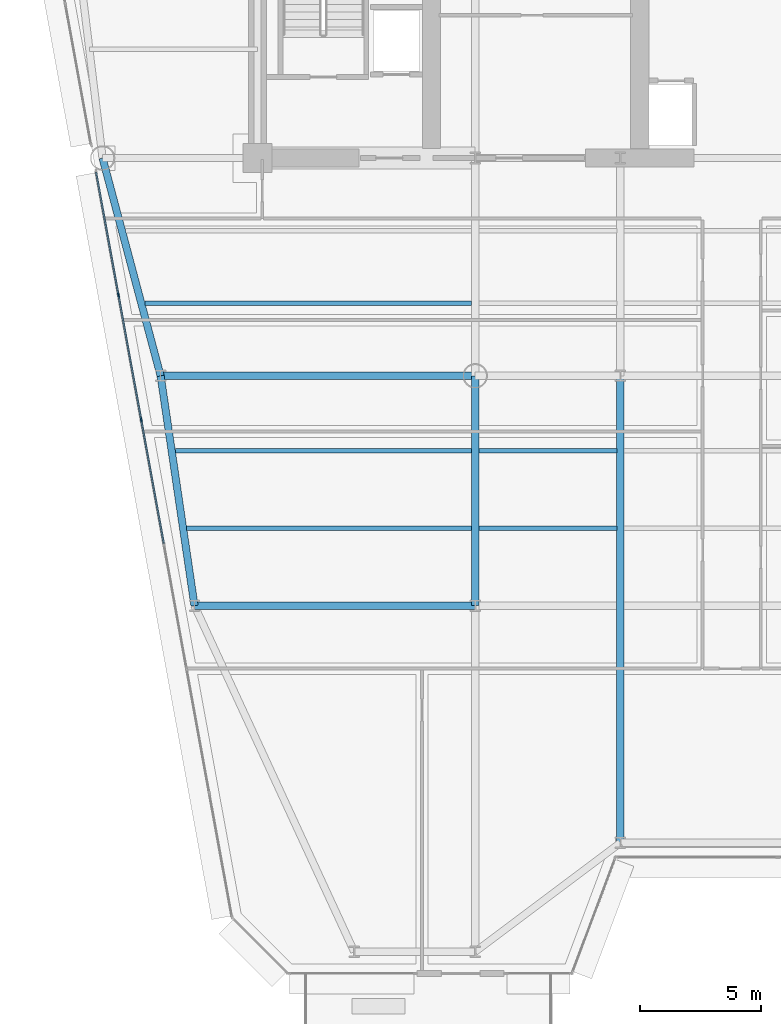
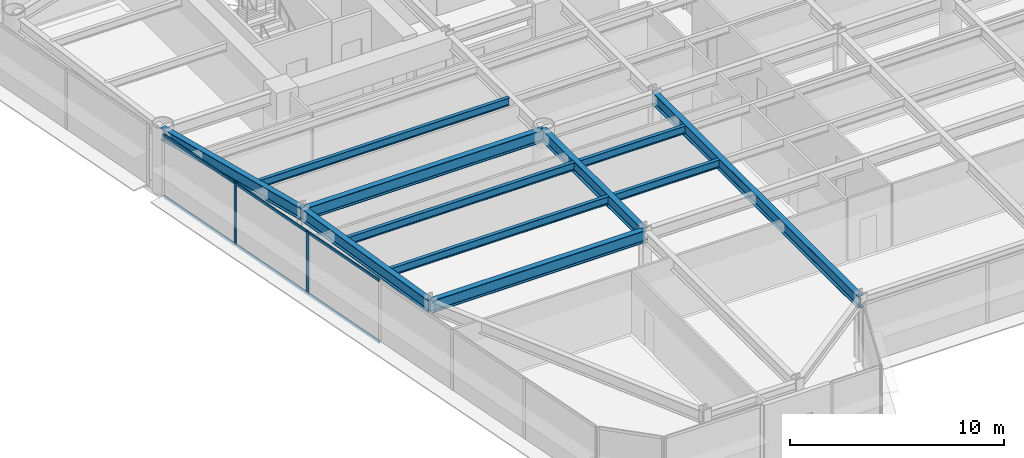
# One storey, part 3 of 17: 11 beams, 8 members, 1 element without a shape of its own.
"""IFC4 building model written with IfcOpenShell, lengths in metres."""

from ifc_helpers import new_model, si_unit, direction, frame, origin, origin_2d, place, context, subcontext, project, spatial, rectangle, i_section, extrude, source, transform, mapped, material, layer, layer_set, material_profile, profile_set, type_object, element, aggregate, save


model = new_model("IFC4")

# Units and contexts
model_context = context("Model", 3, precision=1e-05, world=origin(), true_north=direction((0.0, 1.0)))
body_context = subcontext(model_context, "Body", "Model", "MODEL_VIEW")
ifc_project = project(units=[si_unit("LENGTHUNIT", "METRE"), si_unit("AREAUNIT", "SQUARE_METRE"), si_unit("VOLUMEUNIT", "CUBIC_METRE"), si_unit("PLANEANGLEUNIT", "RADIAN"), si_unit("MASSUNIT", "GRAM", prefix="KILO")], contexts=[model_context])

# Site, building, storey
site_placement = place(None, origin())
site = spatial("IfcSite", under=ifc_project, at=site_placement, CompositionType="ELEMENT")
building_placement = place(site_placement, origin())
building = spatial("IfcBuilding", under=site, at=building_placement, Name="Vaeldorn Concourse Tower", CompositionType="ELEMENT")
storey_placement = place(building_placement, frame((0.0, 0.0, 153.800048828125)))
storey = spatial("IfcBuildingStorey", under=building, at=storey_placement, Name="L39", CompositionType="ELEMENT", Elevation=153.800048828125)

# Beams
ifc_material_1 = material(Name="Steel S355", Category="steel")
ifc_material_profile_1 = material_profile(ifc_material_1, i_section(OverallWidth=0.300048828125, OverallDepth=0.699951171875, WebThickness=0.01708984375, FlangeThickness=0.031982421875, FilletRadius=0.027099609375, at=origin_2d()), Name="HEB 700")
ifc_profile_set_1 = profile_set([ifc_material_profile_1], Name="Steel S355")
beam_type_1 = type_object("IfcBeamType", Name="BM-PG-HEB700", PredefinedType="BEAM", material=ifc_profile_set_1)
shared_shape_1 = source(origin(), body_context, "Body", "SweptSolid", [
    extrude(i_section(OverallWidth=0.300048828125, OverallDepth=0.699951171875, WebThickness=0.01708984375, FlangeThickness=0.031982421875, FilletRadius=0.027099609375, at=origin_2d()), origin(), (0.0, 0.0, 1.0), 9.314453125),
])
beam_1_placement = place(storey_placement, frame((7.60009765625, 36.5, 3.22998046875), z_axis=(0.257652862255, -0.966237549763, 0.0), x_axis=(0.966237549763, 0.257652862255, 0.0)))
element("IfcBeam", 1, at=beam_1_placement, inside=storey, type_object=beam_type_1, Name="Beam BM-L39-C-NW2-C-FLW1", PredefinedType="BEAM", context=body_context, shape_type="MappedRepresentation", body=[
    mapped(shared_shape_1, transform((0.0, 0.0, 0.0), scale=1.0)),
])
shared_shape_2 = source(origin(), body_context, "Body", "SweptSolid", [
    extrude(i_section(OverallWidth=0.300048828125, OverallDepth=0.699951171875, WebThickness=0.01708984375, FlangeThickness=0.031982421875, FilletRadius=0.027099609375, at=origin_2d()), origin(), (0.0, 0.0, 1.0), 13.0),
])
beam_2_placement = place(storey_placement, frame((10.0, 27.5, 3.22998046875), z_axis=(1.0, 0.0, 0.0), x_axis=(0.0, 1.0, 0.0)))
element("IfcBeam", 2, at=beam_2_placement, inside=storey, type_object=beam_type_1, Name="Beam BM-L39-C-FLW1-C-TW1", PredefinedType="BEAM", context=body_context, shape_type="MappedRepresentation", body=[
    mapped(shared_shape_2, transform((0.0, 0.0, 0.0), scale=1.0)),
])
shared_shape_3 = source(origin(), body_context, "Body", "SweptSolid", [
    extrude(i_section(OverallWidth=0.300048828125, OverallDepth=0.699951171875, WebThickness=0.01708984375, FlangeThickness=0.031982421875, FilletRadius=0.027099609375, at=origin_2d()), origin(), (0.0, 0.0, 1.0), 9.6025390625),
])
beam_3_placement = place(storey_placement, frame((10.0, 27.5, 3.22998046875), z_axis=(0.145783835977, -0.989316467652, 0.0), x_axis=(0.989316467652, 0.145783835977, 0.0)))
element("IfcBeam", 3, at=beam_3_placement, inside=storey, type_object=beam_type_1, Name="Beam BM-L39-C-FLW1-C-FLW2", PredefinedType="BEAM", context=body_context, shape_type="MappedRepresentation", body=[
    mapped(shared_shape_3, transform((0.0, 0.0, 0.0), scale=1.0)),
])
shared_shape_4 = source(origin(), body_context, "Body", "SweptSolid", [
    extrude(i_section(OverallWidth=0.300048828125, OverallDepth=0.699951171875, WebThickness=0.01708984375, FlangeThickness=0.031982421875, FilletRadius=0.027099609375, at=origin_2d()), origin(), (0.0, 0.0, 1.0), 11.60009765625),
])
beam_4_placement = place(storey_placement, frame((11.39990234375, 18.0, 3.22998046875), z_axis=(1.0, 0.0, 0.0), x_axis=(0.0, 1.0, 0.0)))
element("IfcBeam", 4, at=beam_4_placement, inside=storey, type_object=beam_type_1, Name="Beam BM-L39-C-FLW2-C-TW5", PredefinedType="BEAM", context=body_context, shape_type="MappedRepresentation", body=[
    mapped(shared_shape_4, transform((0.0, 0.0, 0.0), scale=1.0)),
])
shared_shape_5 = source(origin(), body_context, "Body", "SweptSolid", [
    extrude(i_section(OverallWidth=0.300048828125, OverallDepth=0.699951171875, WebThickness=0.01708984375, FlangeThickness=0.031982421875, FilletRadius=0.027099609375, at=origin_2d()), origin(), (0.0, 0.0, 1.0), 9.5),
])
beam_5_placement = place(storey_placement, frame((23.0, 18.0, 3.22998046875), z_axis=(0.0, 1.0, 0.0), x_axis=(-1.0, 0.0, 0.0)))
element("IfcBeam", 5, at=beam_5_placement, inside=storey, type_object=beam_type_1, Name="Beam BM-L39-C-TW5-C-TW1", PredefinedType="BEAM", context=body_context, shape_type="MappedRepresentation", body=[
    mapped(shared_shape_5, transform((0.0, 0.0, 0.0), scale=1.0)),
])
ifc_material_profile_2 = material_profile(ifc_material_1, i_section(OverallWidth=0.18994140625, OverallDepth=0.449951171875, WebThickness=0.009521484375, FlangeThickness=0.0146484375, FilletRadius=0.02099609375, at=origin_2d()), Name="IPE 450")
ifc_profile_set_2 = profile_set([ifc_material_profile_2], Name="Steel S355")
beam_type_2 = type_object("IfcBeamType", Name="BM-JS-IPE450", PredefinedType="JOIST", material=ifc_profile_set_2)
shared_shape_6 = source(origin(), body_context, "Body", "SweptSolid", [
    extrude(i_section(OverallWidth=0.18994140625, OverallDepth=0.449951171875, WebThickness=0.009521484375, FlangeThickness=0.0146484375, FilletRadius=0.02099609375, at=origin_2d()), origin(), (0.0, 0.0, 1.0), 5.7001953125),
])
for number, where, z_axis, x_axis, name in (
    (6, (23.14990234375, 21.199951171875, 3.35498046875), (1.0, 0.0, 0.0), (0.0, 1.0, 0.0), "Beam JS-L39-W2-212"),
    (7, (23.14990234375, 24.39990234375, 3.35498046875), (1.0, 0.0, 0.0), (0.0, 1.0, 0.0), "Beam JS-L39-W2-244"),
):
    element("IfcBeam", number, at=place(storey_placement, frame(where, z_axis=z_axis, x_axis=x_axis)), inside=storey, type_object=beam_type_2, Name=name, PredefinedType="JOIST", context=body_context, shape_type="MappedRepresentation", body=[
        mapped(shared_shape_6, transform((0.0, 0.0, 0.0), scale=1.0)),
    ])
shared_shape_7 = source(origin(), body_context, "Body", "SweptSolid", [
    extrude(i_section(OverallWidth=0.18994140625, OverallDepth=0.449951171875, WebThickness=0.009521484375, FlangeThickness=0.0146484375, FilletRadius=0.02099609375, at=origin_2d()), origin(), (0.0, 0.0, 1.0), 11.771728515625),
])
beam_6_placement = place(storey_placement, frame((11.078369140625, 21.199951171875, 3.35498046875), z_axis=(1.0, 0.0, 0.0), x_axis=(0.0, 1.0, 0.0)))
element("IfcBeam", 8, at=beam_6_placement, inside=storey, type_object=beam_type_2, Name="Beam JS-L39-W1-212", PredefinedType="JOIST", context=body_context, shape_type="MappedRepresentation", body=[
    mapped(shared_shape_7, transform((0.0, 0.0, 0.0), scale=1.0)),
])
shared_shape_8 = source(origin(), body_context, "Body", "SweptSolid", [
    extrude(i_section(OverallWidth=0.18994140625, OverallDepth=0.449951171875, WebThickness=0.009521484375, FlangeThickness=0.0146484375, FilletRadius=0.02099609375, at=origin_2d()), origin(), (0.0, 0.0, 1.0), 12.243408203125),
])
beam_7_placement = place(storey_placement, frame((10.606689453125, 24.39990234375, 3.35498046875), z_axis=(1.0, 0.0, 0.0), x_axis=(0.0, 1.0, 0.0)))
element("IfcBeam", 9, at=beam_7_placement, inside=storey, type_object=beam_type_2, Name="Beam JS-L39-W1-244", PredefinedType="JOIST", context=body_context, shape_type="MappedRepresentation", body=[
    mapped(shared_shape_8, transform((0.0, 0.0, 0.0), scale=1.0)),
])
shared_shape_9 = source(origin(), body_context, "Body", "SweptSolid", [
    extrude(i_section(OverallWidth=0.18994140625, OverallDepth=0.449951171875, WebThickness=0.009521484375, FlangeThickness=0.0146484375, FilletRadius=0.02099609375, at=origin_2d()), origin(), (0.0, 0.0, 1.0), 13.5),
])
beam_8_placement = place(storey_placement, frame((9.35009765625, 30.5, 3.35498046875), z_axis=(1.0, 0.0, 0.0), x_axis=(0.0, 1.0, 0.0)))
element("IfcBeam", 10, at=beam_8_placement, inside=storey, type_object=beam_type_2, Name="Beam JS-L39-W1-305", PredefinedType="JOIST", context=body_context, shape_type="MappedRepresentation", body=[
    mapped(shared_shape_9, transform((0.0, 0.0, 0.0), scale=1.0)),
])
shared_shape_10 = source(origin(), body_context, "Body", "SweptSolid", [
    extrude(i_section(OverallWidth=0.300048828125, OverallDepth=0.699951171875, WebThickness=0.01708984375, FlangeThickness=0.031982421875, FilletRadius=0.027099609375, at=origin_2d()), origin(), (0.0, 0.0, 1.0), 19.300048828125),
])
beam_9_placement = place(storey_placement, frame((29.0, 8.199951171875, 3.22998046875), z_axis=(0.0, 1.0, 0.0), x_axis=(-1.0, 0.0, 0.0)))
element("IfcBeam", 11, at=beam_9_placement, inside=storey, type_object=beam_type_1, Name="Beam BM-L39-C-SF3-C-TW2", PredefinedType="BEAM", context=body_context, shape_type="MappedRepresentation", body=[
    mapped(shared_shape_10, transform((0.0, 0.0, 0.0), scale=1.0)),
])

# Curtain wall, members
ifc_material_2 = material(Name="Anodised Bronze Aluminium", Category="aluminium")
ifc_layer = layer(ifc_material_2, 0.2099609375)
ifc_layer_set = layer_set([ifc_layer], Name="Anodised Bronze Aluminium")
curtain_wall_type = type_object("IfcCurtainWallType", Name="CW-SYS-06", PredefinedType="NOTDEFINED", material=ifc_layer_set)
curtain_wall_placement = place(storey_placement, origin())
curtain_wall = element("IfcCurtainWall", 12, at=curtain_wall_placement, inside=storey, type_object=curtain_wall_type, Name="Unitised Curtain Wall CW-L39-E11-2", PredefinedType="NOTDEFINED")
ifc_material_profile_3 = material_profile(ifc_material_2, rectangle(XDim=0.06494140625, YDim=0.169921875, at=origin_2d()), Name="CWM 65x170")
ifc_profile_set_3 = profile_set([ifc_material_profile_3], Name="Anodised Bronze Aluminium")
member_type_1 = type_object("IfcMemberType", Name="CWM-BRONZE-170", PredefinedType="MULLION", material=ifc_profile_set_3)
shared_shape_11 = source(origin(), body_context, "Body", "SweptSolid", [
    extrude(rectangle(XDim=0.06494140625, YDim=0.169921875, at=origin_2d()), origin(), (0.0, 0.0, 1.0), 3.579833984375),
])
member_1_placement = place(storey_placement, frame((8.2587890625, 30.8349609375, 0.0), z_axis=(0.0, 0.0, 1.0), x_axis=(0.983767760981, 0.179446349793, 0.0)))
member_1 = element("IfcMember", 13, at=member_1_placement, type_object=member_type_1, Name="CW-06 mullion 2", PredefinedType="MULLION", context=body_context, shape_type="MappedRepresentation", body=[
    mapped(shared_shape_11, transform((0.0, 0.0, 0.0), scale=1.0)),
])
member_2_placement = place(storey_placement, frame((9.197509765625, 25.68798828125, 0.0), z_axis=(0.0, 0.0, 1.0), x_axis=(0.983767760981, 0.179446349793, 0.0)))
member_2 = element("IfcMember", 14, at=member_2_placement, type_object=member_type_1, Name="CW-06 mullion 3", PredefinedType="MULLION", context=body_context, shape_type="MappedRepresentation", body=[
    mapped(shared_shape_11, transform((0.0, 0.0, 0.0), scale=1.0)),
])
ifc_material_profile_4 = material_profile(ifc_material_2, rectangle(XDim=0.06494140625, YDim=0.14990234375, at=origin_2d()), Name="CWT 65x150")
ifc_profile_set_4 = profile_set([ifc_material_profile_4], Name="Anodised Bronze Aluminium")
member_type_2 = type_object("IfcMemberType", Name="CWT-BRONZE-150", PredefinedType="USERDEFINED", material=ifc_profile_set_4)
shared_shape_12 = source(origin(), body_context, "Body", "SweptSolid", [
    extrude(rectangle(XDim=0.06494140625, YDim=0.14990234375, at=origin_2d()), origin(), (0.0, 0.0, 1.0), 5.13427734375),
])
member_3_placement = place(storey_placement, frame((7.33154296875, 35.91796875, 0.032470703125), z_axis=(0.179454489179, -0.983766276264, 0.0), x_axis=(0.983766276264, 0.179454489179, 0.0)))
member_3 = element("IfcMember", 15, at=member_3_placement, type_object=member_type_2, Name="CW-06 transom 1.1", ObjectType="TRANSOM", PredefinedType="USERDEFINED", context=body_context, shape_type="MappedRepresentation", body=[
    mapped(shared_shape_12, transform((0.0, 0.0, 0.0), scale=1.0)),
])
member_4_placement = place(storey_placement, frame((7.33154296875, 35.91796875, 3.54736328125), z_axis=(0.179454489179, -0.983766276264, 0.0), x_axis=(0.983766276264, 0.179454489179, 0.0)))
member_4 = element("IfcMember", 16, at=member_4_placement, type_object=member_type_2, Name="CW-06 transom 1.2", ObjectType="TRANSOM", PredefinedType="USERDEFINED", context=body_context, shape_type="MappedRepresentation", body=[
    mapped(shared_shape_12, transform((0.0, 0.0, 0.0), scale=1.0)),
])
shared_shape_13 = source(origin(), body_context, "Body", "SweptSolid", [
    extrude(rectangle(XDim=0.06494140625, YDim=0.14990234375, at=origin_2d()), origin(), (0.0, 0.0, 1.0), 5.1669921875),
])
member_5_placement = place(storey_placement, frame((9.203369140625, 25.656005859375, 0.032470703125), z_axis=(0.179459223682, -0.983765412604, 0.0), x_axis=(0.983765412604, 0.179459223682, 0.0)))
member_5 = element("IfcMember", 17, at=member_5_placement, type_object=member_type_2, Name="CW-06 transom 3.1", ObjectType="TRANSOM", PredefinedType="USERDEFINED", context=body_context, shape_type="MappedRepresentation", body=[
    mapped(shared_shape_13, transform((0.0, 0.0, 0.0), scale=1.0)),
])
member_6_placement = place(storey_placement, frame((9.203369140625, 25.656005859375, 3.54736328125), z_axis=(0.179459223682, -0.983765412604, 0.0), x_axis=(0.983765412604, 0.179459223682, 0.0)))
member_6 = element("IfcMember", 18, at=member_6_placement, type_object=member_type_2, Name="CW-06 transom 3.2", ObjectType="TRANSOM", PredefinedType="USERDEFINED", context=body_context, shape_type="MappedRepresentation", body=[
    mapped(shared_shape_13, transform((0.0, 0.0, 0.0), scale=1.0)),
])
shared_shape_14 = source(origin(), body_context, "Body", "SweptSolid", [
    extrude(rectangle(XDim=0.06494140625, YDim=0.14990234375, at=origin_2d()), origin(), (0.0, 0.0, 1.0), 5.166748046875),
])
member_7_placement = place(storey_placement, frame((8.2646484375, 30.802978515625, 0.032470703125), z_axis=(0.179413493867, -0.983773753573, 0.0), x_axis=(0.983773753573, 0.179413493867, 0.0)))
member_7 = element("IfcMember", 19, at=member_7_placement, type_object=member_type_2, Name="CW-06 transom 2.1", ObjectType="TRANSOM", PredefinedType="USERDEFINED", context=body_context, shape_type="MappedRepresentation", body=[
    mapped(shared_shape_14, transform((0.0, 0.0, 0.0), scale=1.0)),
])
member_8_placement = place(storey_placement, frame((8.2646484375, 30.802978515625, 3.54736328125), z_axis=(0.179413493867, -0.983773753573, 0.0), x_axis=(0.983773753573, 0.179413493867, 0.0)))
member_8 = element("IfcMember", 20, at=member_8_placement, type_object=member_type_2, Name="CW-06 transom 2.2", ObjectType="TRANSOM", PredefinedType="USERDEFINED", context=body_context, shape_type="MappedRepresentation", body=[
    mapped(shared_shape_14, transform((0.0, 0.0, 0.0), scale=1.0)),
])
aggregate(curtain_wall, [member_1, member_2, member_3, member_4, member_7, member_8, member_5, member_6])

save(model, "model.ifc")
